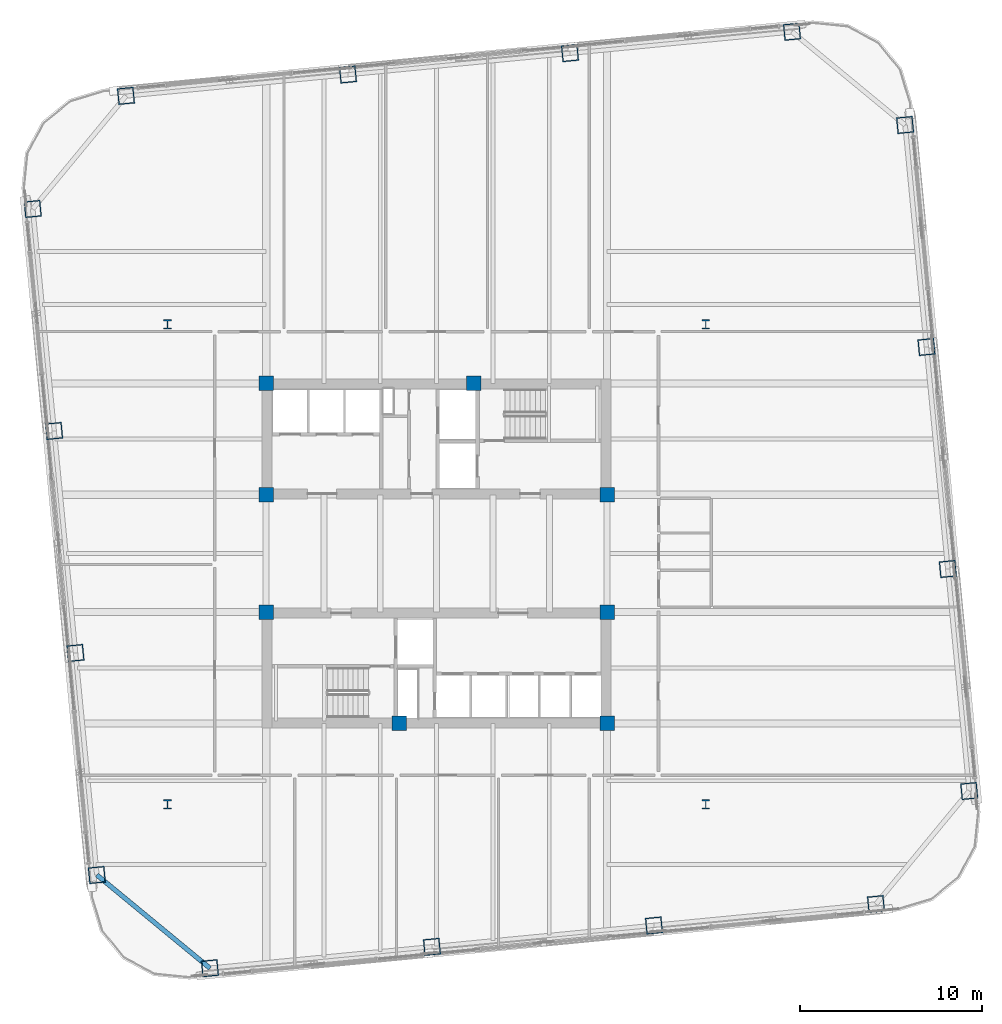
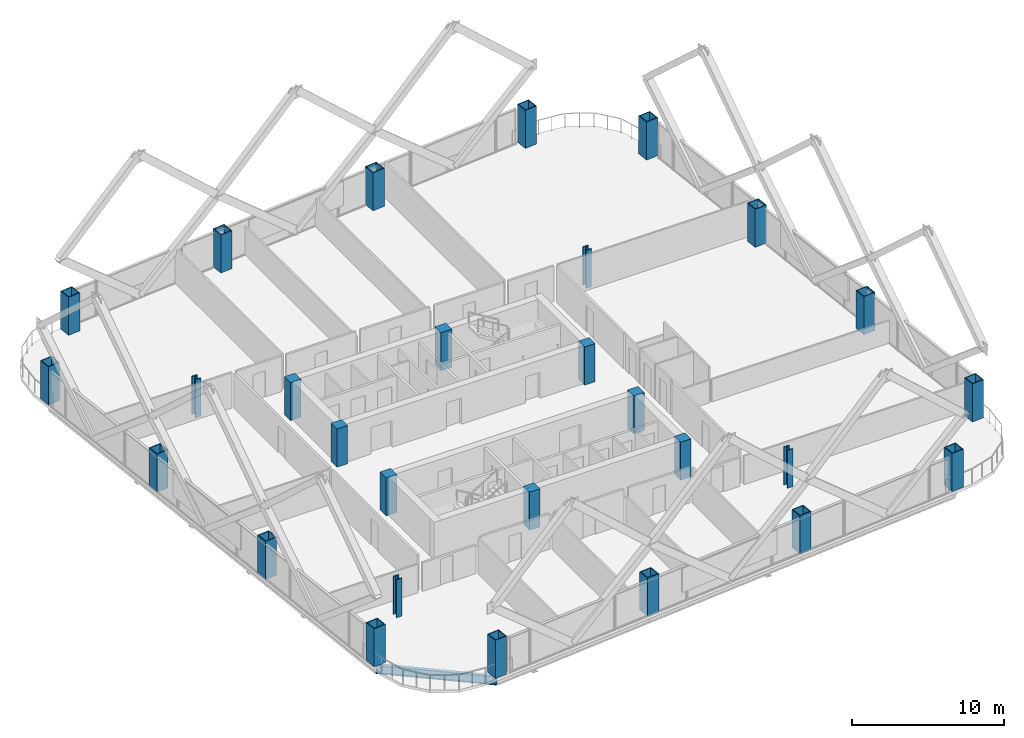
# One storey, part 1 of 32: 28 columns, 1 beam.
"""IFC4 building model written with IfcOpenShell, lengths in metres."""

from ifc_helpers import new_model, si_unit, direction, frame, origin, origin_2d, place, context, subcontext, project, spatial, rectangle, hollow_rectangle, i_section, extrude, material, material_profile, profile_set, type_object, element, save


model = new_model("IFC4")

# Units and contexts
model_context = context("Model", 3, precision=1e-05, world=origin(), true_north=direction((0.0, 1.0)))
body_context = subcontext(model_context, "Body", "Model", "MODEL_VIEW")
ifc_project = project(units=[si_unit("LENGTHUNIT", "METRE"), si_unit("AREAUNIT", "SQUARE_METRE"), si_unit("VOLUMEUNIT", "CUBIC_METRE"), si_unit("PLANEANGLEUNIT", "RADIAN"), si_unit("MASSUNIT", "GRAM", prefix="KILO")], contexts=[model_context])

# Site, building, storey
site_placement = place(None, origin())
site = spatial("IfcSite", under=ifc_project, at=site_placement, CompositionType="ELEMENT")
building_placement = place(site_placement, origin())
building = spatial("IfcBuilding", under=site, at=building_placement, Name="Qhalaya Broadcast Tower", CompositionType="ELEMENT")
storey_placement = place(building_placement, frame((0.0, 0.0, 81.64990234375)))
storey = spatial("IfcBuildingStorey", under=building, at=storey_placement, Name="L23", CompositionType="ELEMENT", Elevation=81.64990234375)

# Columns
ifc_material_1 = material(Name="Concrete C50/60", Category="concrete")
ifc_material_profile_1 = material_profile(ifc_material_1, rectangle(XDim=0.800048828125, YDim=0.800048828125, at=origin_2d()), Name="RC-COL 800x800")
ifc_profile_set_1 = profile_set([ifc_material_profile_1], Name="Concrete C50/60")
column_type_1 = type_object("IfcColumnType", Name="RC Upper Column C10", PredefinedType="COLUMN", material=ifc_profile_set_1)
for number, where, z_axis, x_axis, name in (
    (1, (-9.375, 9.949951171875, 0.0), (0.0, 0.0, 1.0), (1.0, 0.0, 0.0), "L23 Column COL-CC1"),
    (2, (2.050048828125, 9.949951171875, 0.0), (0.0, 0.0, 1.0), (1.0, 0.0, 0.0), "L23 Column COL-CC2"),
    (3, (-9.375, 3.824951171875, 0.0), (0.0, 0.0, 1.0), (1.0, 0.0, 0.0), "L23 Column COL-CC3"),
    (4, (9.375, 3.824951171875, 0.0), (0.0, 0.0, 1.0), (1.0, 0.0, 0.0), "L23 Column COL-CC4"),
    (5, (-9.375, -2.625, 0.0), (0.0, 0.0, 1.0), (1.0, 0.0, 0.0), "L23 Column COL-CC5"),
    (6, (9.375, -2.625, 0.0), (0.0, 0.0, 1.0), (1.0, 0.0, 0.0), "L23 Column COL-CC6"),
    (7, (-2.050048828125, -8.75, 0.0), (0.0, 0.0, 1.0), (1.0, 0.0, 0.0), "L23 Column COL-CC7"),
    (8, (9.375, -8.75, 0.0), (0.0, 0.0, 1.0), (1.0, 0.0, 0.0), "L23 Column COL-CC8"),
):
    element("IfcColumn", number, at=place(storey_placement, frame(where, z_axis=z_axis, x_axis=x_axis)), inside=storey, type_object=column_type_1, Name=name, PredefinedType="COLUMN", context=body_context, shape_type="SweptSolid", body=[
        extrude(rectangle(XDim=0.800048828125, YDim=0.800048828125, at=origin_2d()), origin(), (0.0, 0.0, 1.0), 3.050048828125),
    ])
ifc_material_2 = material(Name="Structural Steel ASTM A992 Grade 50", Category="steel")
ifc_material_profile_2 = material_profile(ifc_material_2, i_section(OverallWidth=0.41796875, OverallDepth=0.510009765625, WebThickness=0.0419921875, FlangeThickness=0.067626953125, at=origin_2d()), Name="W14X370")
ifc_profile_set_2 = profile_set([ifc_material_profile_2], Name="Structural Steel ASTM A992 Grade 50")
column_type_2 = type_object("IfcColumnType", Name="Rolled Gravity Column C06", PredefinedType="COLUMN", material=ifc_profile_set_2)
for number, where, z_axis, x_axis, name in (
    (9, (-14.800048828125, -13.199951171875, 0.0), (0.0, 0.0, 1.0), (1.0, 0.0, 0.0), "L23 Column COL-GR1"),
    (10, (14.800048828125, -13.199951171875, 0.0), (0.0, 0.0, 1.0), (1.0, 0.0, 0.0), "L23 Column COL-GR2"),
    (11, (-14.800048828125, 13.199951171875, 0.0), (0.0, 0.0, 1.0), (1.0, 0.0, 0.0), "L23 Column COL-GR3"),
    (12, (14.800048828125, 13.199951171875, 0.0), (0.0, 0.0, 1.0), (1.0, 0.0, 0.0), "L23 Column COL-GR4"),
):
    element("IfcColumn", number, at=place(storey_placement, frame(where, z_axis=z_axis, x_axis=x_axis)), inside=storey, type_object=column_type_2, Name=name, PredefinedType="COLUMN", context=body_context, shape_type="SweptSolid", body=[
        extrude(i_section(OverallWidth=0.41796875, OverallDepth=0.510009765625, WebThickness=0.0419921875, FlangeThickness=0.067626953125, at=origin_2d()), origin(), (0.0, 0.0, 1.0), 3.050048828125),
    ])
ifc_material_3 = material(Name="Structural Steel ASTM A572 Grade 50", Category="steel")
ifc_material_profile_3 = material_profile(ifc_material_3, hollow_rectangle(XDim=0.89990234375, YDim=0.89990234375, WallThickness=0.054931640625, at=origin_2d()), Name="BOX 900x900x55")
ifc_profile_set_3 = profile_set([ifc_material_profile_3], Name="Structural Steel ASTM A572 Grade 50")
column_type_3 = type_object("IfcColumnType", Name="Steel Box Column C02", PredefinedType="COLUMN", material=ifc_profile_set_3)
for number, where, z_axis, x_axis, name in (
    (13, (-12.46533203125, -22.212646484375, 0.0), (0.0, 0.0, 1.0), (0.995396198367, 0.09584575252, 0.0), "L23 Column COL-EX01"),
    (14, (-0.255126953125, -21.036865234375, 0.0), (0.0, 0.0, 1.0), (0.995396198367, 0.09584575252, 0.0), "L23 Column COL-EX02"),
    (15, (11.955078125, -19.861083984375, 0.0), (0.0, 0.0, 1.0), (0.995396198367, 0.09584575252, 0.0), "L23 Column COL-EX03"),
    (16, (24.165283203125, -18.685546875, 0.0), (0.0, 0.0, 1.0), (0.995396198367, 0.09584575252, 0.0), "L23 Column COL-EX04"),
    (17, (29.29248046875, -12.46533203125, 0.0), (0.0, 0.0, 1.0), (-0.09584575252, 0.995396198367, 0.0), "L23 Column COL-EX05"),
    (18, (28.116943359375, -0.255126953125, 0.0), (0.0, 0.0, 1.0), (-0.09584575252, 0.995396198367, 0.0), "L23 Column COL-EX06"),
    (19, (26.941162109375, 11.955078125, 0.0), (0.0, 0.0, 1.0), (-0.09584575252, 0.995396198367, 0.0), "L23 Column COL-EX07"),
    (20, (25.765380859375, 24.165283203125, 0.0), (0.0, 0.0, 1.0), (-0.09584575252, 0.995396198367, 0.0), "L23 Column COL-EX08"),
    (21, (19.54541015625, 29.29248046875, 0.0), (0.0, 0.0, 1.0), (0.995396198367, 0.09584575252, 0.0), "L23 Column COL-EX09"),
    (22, (7.335205078125, 28.116943359375, 0.0), (0.0, 0.0, 1.0), (0.995396198367, 0.09584575252, 0.0), "L23 Column COL-EX10"),
    (23, (-4.875, 26.941162109375, 0.0), (0.0, 0.0, 1.0), (0.995396198367, 0.09584575252, 0.0), "L23 Column COL-EX11"),
    (24, (-17.085205078125, 25.765380859375, 0.0), (0.0, 0.0, 1.0), (0.995396198367, 0.09584575252, 0.0), "L23 Column COL-EX12"),
    (25, (-22.212646484375, 19.54541015625, 0.0), (0.0, 0.0, 1.0), (-0.09584575252, 0.995396198367, 0.0), "L23 Column COL-EX13"),
    (26, (-21.036865234375, 7.335205078125, 0.0), (0.0, 0.0, 1.0), (-0.09584575252, 0.995396198367, 0.0), "L23 Column COL-EX14"),
    (27, (-19.861083984375, -4.875, 0.0), (0.0, 0.0, 1.0), (-0.09584575252, 0.995396198367, 0.0), "L23 Column COL-EX15"),
    (28, (-18.685546875, -17.085205078125, 0.0), (0.0, 0.0, 1.0), (-0.09584575252, 0.995396198367, 0.0), "L23 Column COL-EX16"),
):
    element("IfcColumn", number, at=place(storey_placement, frame(where, z_axis=z_axis, x_axis=x_axis)), inside=storey, type_object=column_type_3, Name=name, PredefinedType="COLUMN", context=body_context, shape_type="SweptSolid", body=[
        extrude(hollow_rectangle(XDim=0.89990234375, YDim=0.89990234375, WallThickness=0.054931640625, at=origin_2d()), origin(), (0.0, 0.0, 1.0), 3.050048828125),
    ])

# Beam
ifc_material_profile_4 = material_profile(ifc_material_2, i_section(OverallWidth=0.25390625, OverallDepth=0.68310546875, WebThickness=0.012451171875, FlangeThickness=0.01904296875, at=origin_2d()), Name="W27X94")
ifc_profile_set_4 = profile_set([ifc_material_profile_4], Name="Structural Steel ASTM A992 Grade 50")
beam_type = type_object("IfcBeamType", Name="Perimeter Ring Spandrel Beam SP1", PredefinedType="SPANDREL", material=ifc_profile_set_4)
beam_placement = place(storey_placement, frame((-18.685546875, -17.085205078125, -0.5615234375), z_axis=(0.771631160126, -0.636070241972, 0.0), x_axis=(0.636070241972, 0.771631160126, 0.0)))
element("IfcBeam", 29, at=beam_placement, inside=storey, type_object=beam_type, Name="L23 SP1 L23-SPR-16", PredefinedType="SPANDREL", context=body_context, shape_type="SweptSolid", body=[
    extrude(i_section(OverallWidth=0.25390625, OverallDepth=0.68310546875, WebThickness=0.012451171875, FlangeThickness=0.01904296875, at=origin_2d()), origin(), (0.0, 0.0, 1.0), 8.06103515625),
])

save(model, "model.ifc")
